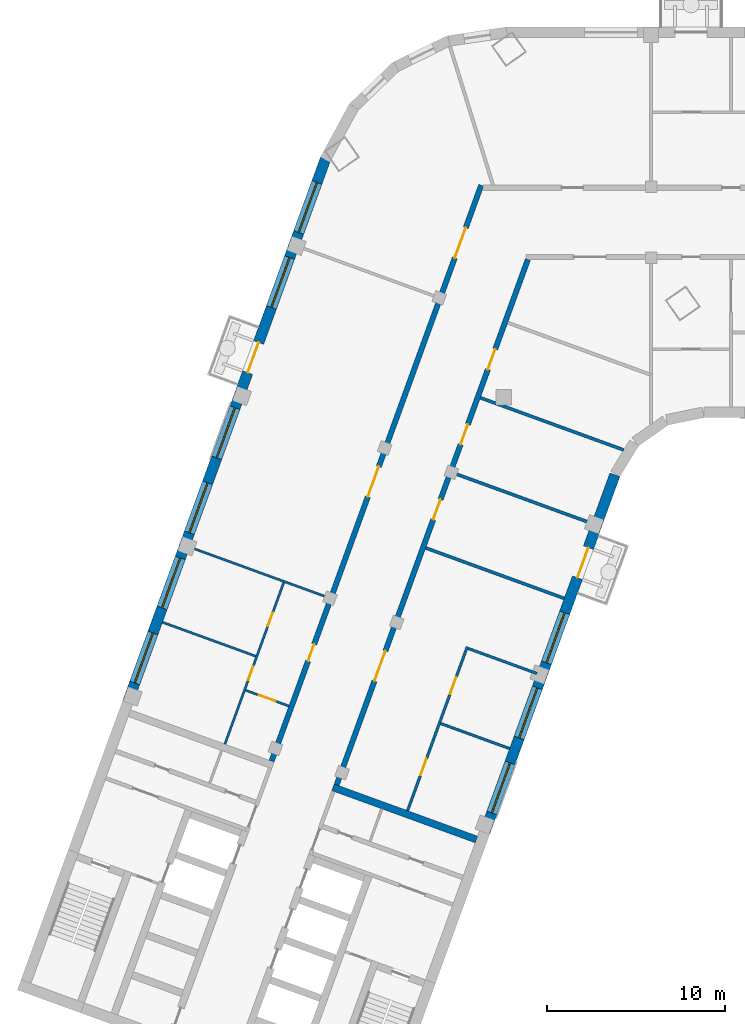
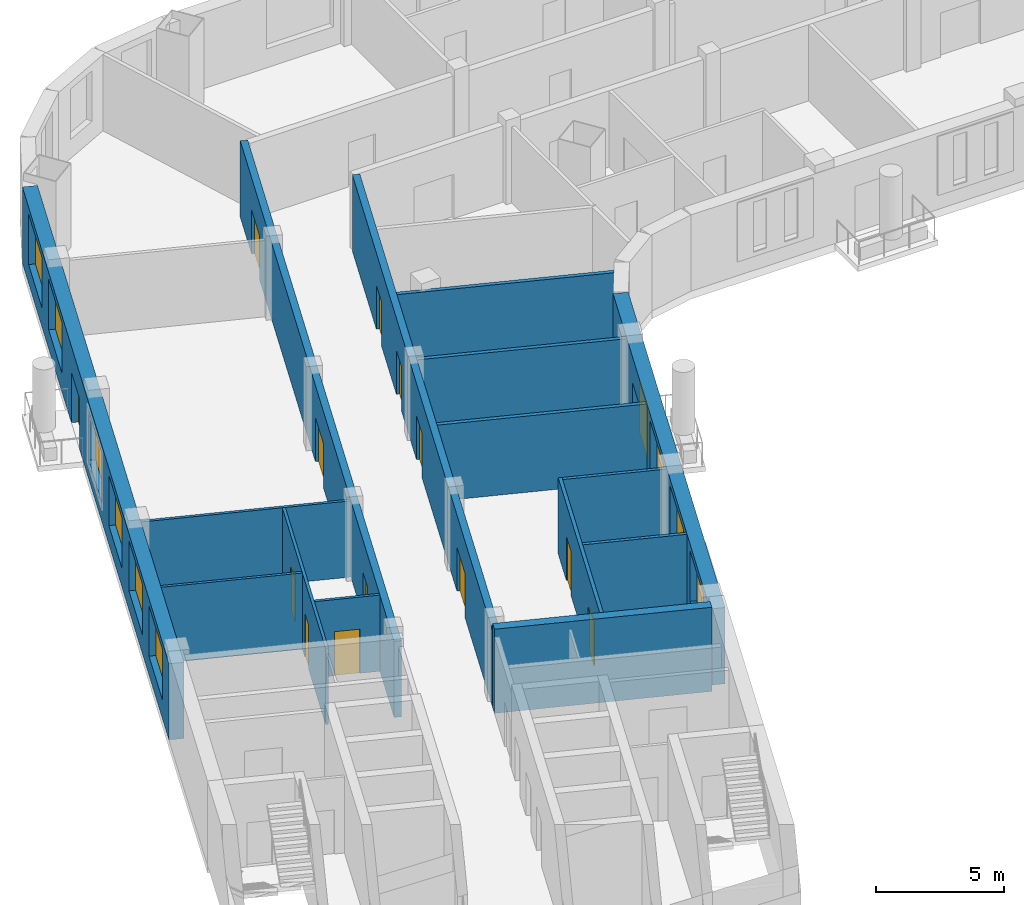
# One storey, part 5 of 12: 15 walls, 14 doors, 9 windows, 23 openings.
"""IFC4 building model written with IfcOpenShell, lengths in metres."""

from ifc_helpers import new_model, si_unit, direction, frame, frame_2d, origin, place, context, subcontext, project, spatial, rectangle, extrude, material, layer, layer_set, type_object, element, fill, save


model = new_model("IFC4")

# Units and contexts
model_context = context("Model", 3, precision=1e-05, world=origin(), true_north=direction((0.0, 1.0)))
body_context = subcontext(model_context, "Body", "Model", "MODEL_VIEW")
ifc_project = project(units=[si_unit("LENGTHUNIT", "METRE"), si_unit("AREAUNIT", "SQUARE_METRE"), si_unit("VOLUMEUNIT", "CUBIC_METRE"), si_unit("PLANEANGLEUNIT", "RADIAN"), si_unit("MASSUNIT", "GRAM", prefix="KILO")], contexts=[model_context])

# Site, building, storey
site_placement = place(None, origin())
site = spatial("IfcSite", under=ifc_project, at=site_placement, CompositionType="ELEMENT")
building_placement = place(site_placement, origin())
building = spatial("IfcBuilding", under=site, at=building_placement, Name="Skarvind Civic Tower", CompositionType="ELEMENT")
storey_placement = place(building_placement, frame((0.0, 0.0, 117.0)))
storey = spatial("IfcBuildingStorey", under=building, at=storey_placement, Name="L27", CompositionType="ELEMENT", Elevation=117.0)

# Walls
ifc_material_1 = material(Name="Acoustic gypsum board on steel studs", Category="steel")
ifc_layer_1 = layer(ifc_material_1, 0.175048828125)
ifc_layer_set_1 = layer_set([ifc_layer_1], Name="ACOUSTIC MEETING-ROOM PARTITION 175")
wall_type_1 = type_object("IfcWallType", Name="ACOUSTIC MEETING-ROOM PARTITION 175", PredefinedType="PARTITIONING", material=ifc_layer_set_1)
wall_1_placement = place(storey_placement, frame((41.56103515625, 109.6630859375, 0.0), z_axis=(0.0, 0.0, 1.0), x_axis=(0.939673986983, -0.342071334939, 0.0)))
element("IfcWall", 1, at=wall_1_placement, inside=storey, type_object=wall_type_1, Name="Partition 27.008", PredefinedType="PARTITIONING", context=body_context, shape_type="SweptSolid", body=[
    extrude(rectangle(XDim=8.2998046875, YDim=0.175048828125, at=frame_2d((4.14990234375, 0.0))), origin(), (0.0, 0.0, 1.0), 3.625),
])
wall_2_placement = place(storey_placement, frame((43.10009765625, 113.89111328125, 0.0), z_axis=(0.0, 0.0, 1.0), x_axis=(0.939670544866, -0.342080790328, 0.0)))
element("IfcWall", 2, at=wall_2_placement, inside=storey, type_object=wall_type_1, Name="Partition 27.012", PredefinedType="PARTITIONING", context=body_context, shape_type="SweptSolid", body=[
    extrude(rectangle(XDim=8.299560546875, YDim=0.175048828125, at=frame_2d((4.14990234375, 0.0))), origin(), (0.0, 0.0, 1.0), 3.625),
])
wall_3_placement = place(storey_placement, frame((44.638916015625, 118.1201171875, 0.0), z_axis=(0.0, 0.0, 1.0), x_axis=(0.939669707102, -0.342083091593, 0.0)))
element("IfcWall", 3, at=wall_3_placement, inside=storey, type_object=wall_type_1, Name="Partition 27.013", PredefinedType="PARTITIONING", context=body_context, shape_type="SweptSolid", body=[
    extrude(rectangle(XDim=8.58935546875, YDim=0.175048828125, at=frame_2d((4.294677734375, 0.0))), origin(), (0.0, 0.0, 1.0), 3.625),
])

# Wall, openings, doors
ifc_material_2 = material(Name="Fire-rated gypsum board on steel studs", Category="steel")
ifc_layer_2 = layer(ifc_material_2, 0.300048828125)
ifc_layer_set_2 = layer_set([ifc_layer_2], Name="CORRIDOR WALL 300")
wall_type_2 = type_object("IfcWallType", Name="CORRIDOR WALL 300", PredefinedType="PARTITIONING", material=ifc_layer_set_2)
wall_4_placement = place(storey_placement, frame((44.68603515625, 130.091064453125, 0.0), z_axis=(0.0, 0.0, 1.0), x_axis=(-0.342017360004, -0.939693633828, 0.0)))
wall_4 = element("IfcWall", 4, at=wall_4_placement, inside=storey, type_object=wall_type_2, Name="Partition 27.006", PredefinedType="PARTITIONING", context=body_context, shape_type="SweptSolid", body=[
    extrude(rectangle(XDim=34.515625, YDim=0.300048828125, at=frame_2d((17.2578125, 0.0))), origin(), (0.0, 0.0, 1.0), 3.625),
])
opening_1_placement = place(wall_4_placement, frame((27.515380859375, 0.0, 0.0)))
opening_1 = element("IfcOpeningElement", 5, at=opening_1_placement, cuts=wall_4, Name="Opening L27-D015", PredefinedType="OPENING", context=body_context, shape_type="SweptSolid", body=[
    extrude(rectangle(XDim=1.0, YDim=2.10009765625, at=frame_2d((0.5, 1.050048828125))), frame((0.0, 0.159912109375, 0.0), z_axis=(0.0, -1.0, 0.0), x_axis=(1.0, 0.0, 0.0)), (0.0, 0.0, 1.0), 0.320068359375),
])
opening_2_placement = place(wall_4_placement, frame((16.865234375, 0.0, 0.0)))
opening_2 = element("IfcOpeningElement", 6, at=opening_2_placement, cuts=wall_4, Name="Opening L27-D019", PredefinedType="OPENING", context=body_context, shape_type="SweptSolid", body=[
    extrude(rectangle(XDim=1.800048828125, YDim=2.10009765625, at=frame_2d((0.89990234375, 1.050048828125))), frame((0.0, 0.159912109375, 0.0), z_axis=(0.0, -1.0, 0.0), x_axis=(1.0, 0.0, 0.0)), (0.0, 0.0, 1.0), 0.320068359375),
])
opening_3_placement = place(wall_4_placement, frame((2.553955078125, 0.0, 0.0)))
opening_3 = element("IfcOpeningElement", 7, at=opening_3_placement, cuts=wall_4, Name="Opening L27-D026", PredefinedType="OPENING", context=body_context, shape_type="SweptSolid", body=[
    extrude(rectangle(XDim=1.800048828125, YDim=2.10009765625, at=frame_2d((0.89990234375, 1.050048828125))), frame((0.0, 0.159912109375, 0.0), z_axis=(0.0, -1.0, 0.0), x_axis=(1.0, 0.0, 0.0)), (0.0, 0.0, 1.0), 0.320068359375),
])
ifc_material_3 = material(Name="Fire-rated timber door leaf", Category="wood")
door_type_1 = type_object("IfcDoorType", Name="FD1 1000x2100", OperationType="NOTDEFINED", PredefinedType="DOOR", material=ifc_material_3)
door_1_placement = place(opening_1_placement, origin())
door_1 = element("IfcDoor", 8, at=door_1_placement, inside=storey, type_object=door_type_1, Name="Door L27-D015", OperationType="SINGLE_SWING_RIGHT", OverallHeight=2.10009765625, OverallWidth=1.0, PredefinedType="DOOR", context=body_context, shape_type="SweptSolid", body=[
    extrude(rectangle(XDim=1.0, YDim=2.10009765625, at=frame_2d((0.5, 1.050048828125))), frame((0.0, 0.02490234375, 0.0), z_axis=(0.0, -1.0, 0.0), x_axis=(1.0, 0.0, 0.0)), (0.0, 0.0, 1.0), 0.050048828125),
])
fill(opening_1, door_1)
door_type_2 = type_object("IfcDoorType", Name="FD4 1800x2100", OperationType="NOTDEFINED", PredefinedType="DOOR", material=ifc_material_3)
door_2_placement = place(opening_2_placement, origin())
door_2 = element("IfcDoor", 9, at=door_2_placement, inside=storey, type_object=door_type_2, Name="Door L27-D019", OperationType="DOUBLE_DOOR_SINGLE_SWING", OverallHeight=2.10009765625, OverallWidth=1.800048828125, PredefinedType="DOOR", context=body_context, shape_type="SweptSolid", body=[
    extrude(rectangle(XDim=1.800048828125, YDim=2.10009765625, at=frame_2d((0.89990234375, 1.050048828125))), frame((0.0, 0.02490234375, 0.0), z_axis=(0.0, -1.0, 0.0), x_axis=(1.0, 0.0, 0.0)), (0.0, 0.0, 1.0), 0.050048828125),
])
fill(opening_2, door_2)
door_3_placement = place(opening_3_placement, origin())
door_3 = element("IfcDoor", 10, at=door_3_placement, inside=storey, type_object=door_type_2, Name="Door L27-D026", OperationType="DOUBLE_DOOR_SINGLE_SWING", OverallHeight=2.10009765625, OverallWidth=1.800048828125, PredefinedType="DOOR", context=body_context, shape_type="SweptSolid", body=[
    extrude(rectangle(XDim=1.800048828125, YDim=2.10009765625, at=frame_2d((0.89990234375, 1.050048828125))), frame((0.0, 0.02490234375, 0.0), z_axis=(0.0, -1.0, 0.0), x_axis=(1.0, 0.0, 0.0)), (0.0, 0.0, 1.0), 0.050048828125),
])
fill(opening_3, door_3)

wall_5_placement = place(storey_placement, frame((47.31396484375, 125.908935546875, 0.0), z_axis=(0.0, 0.0, 1.0), x_axis=(-0.342010770371, -0.939696032209, 0.0)))
wall_5 = element("IfcWall", 11, at=wall_5_placement, inside=storey, type_object=wall_type_2, Name="Partition 27.015", PredefinedType="PARTITIONING", context=body_context, shape_type="SweptSolid", body=[
    extrude(rectangle(XDim=31.484619140625, YDim=0.300048828125, at=frame_2d((15.7421875, 0.0))), origin(), (0.0, 0.0, 1.0), 3.625),
])
opening_4_placement = place(wall_5_placement, frame((23.459228515625, 0.0, 0.0)))
opening_4 = element("IfcOpeningElement", 12, at=opening_4_placement, cuts=wall_5, Name="Opening L27-D022", PredefinedType="OPENING", context=body_context, shape_type="SweptSolid", body=[
    extrude(rectangle(XDim=1.800048828125, YDim=2.10009765625, at=frame_2d((0.89990234375, 1.050048828125))), frame((0.0, 0.159912109375, 0.0), z_axis=(0.0, -1.0, 0.0), x_axis=(1.0, 0.0, 0.0)), (0.0, 0.0, 1.0), 0.320068359375),
])
opening_5_placement = place(wall_5_placement, frame((14.384521484375, 0.0, 0.0)))
opening_5 = element("IfcOpeningElement", 13, at=opening_5_placement, cuts=wall_5, Name="Opening L27-D023", PredefinedType="OPENING", context=body_context, shape_type="SweptSolid", body=[
    extrude(rectangle(XDim=1.199951171875, YDim=2.10009765625, at=frame_2d((0.60009765625, 1.050048828125))), frame((0.0, 0.159912109375, 0.0), z_axis=(0.0, -1.0, 0.0), x_axis=(1.0, 0.0, 0.0)), (0.0, 0.0, 1.0), 0.320068359375),
])
opening_6_placement = place(wall_5_placement, frame((9.884521484375, 0.0, 0.0)))
opening_6 = element("IfcOpeningElement", 14, at=opening_6_placement, cuts=wall_5, Name="Opening L27-D024", PredefinedType="OPENING", context=body_context, shape_type="SweptSolid", body=[
    extrude(rectangle(XDim=1.199951171875, YDim=2.10009765625, at=frame_2d((0.60009765625, 1.050048828125))), frame((0.0, 0.159912109375, 0.0), z_axis=(0.0, -1.0, 0.0), x_axis=(1.0, 0.0, 0.0)), (0.0, 0.0, 1.0), 0.320068359375),
])
opening_7_placement = place(wall_5_placement, frame((5.38427734375, 0.0, 0.0)))
opening_7 = element("IfcOpeningElement", 15, at=opening_7_placement, cuts=wall_5, Name="Opening L27-D025", PredefinedType="OPENING", context=body_context, shape_type="SweptSolid", body=[
    extrude(rectangle(XDim=1.199951171875, YDim=2.10009765625, at=frame_2d((0.60009765625, 1.050048828125))), frame((0.0, 0.159912109375, 0.0), z_axis=(0.0, -1.0, 0.0), x_axis=(1.0, 0.0, 0.0)), (0.0, 0.0, 1.0), 0.320068359375),
])
door_4_placement = place(opening_4_placement, origin())
door_4 = element("IfcDoor", 16, at=door_4_placement, inside=storey, type_object=door_type_2, Name="Door L27-D022", OperationType="DOUBLE_DOOR_SINGLE_SWING", OverallHeight=2.10009765625, OverallWidth=1.800048828125, PredefinedType="DOOR", context=body_context, shape_type="SweptSolid", body=[
    extrude(rectangle(XDim=1.800048828125, YDim=2.10009765625, at=frame_2d((0.89990234375, 1.050048828125))), frame((0.0, 0.02490234375, 0.0), z_axis=(0.0, -1.0, 0.0), x_axis=(1.0, 0.0, 0.0)), (0.0, 0.0, 1.0), 0.050048828125),
])
fill(opening_4, door_4)
door_type_3 = type_object("IfcDoorType", Name="FD6 1200x2100 DOUBLE", OperationType="NOTDEFINED", PredefinedType="DOOR", material=ifc_material_3)
door_5_placement = place(opening_5_placement, origin())
door_5 = element("IfcDoor", 17, at=door_5_placement, inside=storey, type_object=door_type_3, Name="Door L27-D023", OperationType="DOUBLE_DOOR_SINGLE_SWING", OverallHeight=2.10009765625, OverallWidth=1.199951171875, PredefinedType="DOOR", context=body_context, shape_type="SweptSolid", body=[
    extrude(rectangle(XDim=1.199951171875, YDim=2.10009765625, at=frame_2d((0.60009765625, 1.050048828125))), frame((0.0, 0.02490234375, 0.0), z_axis=(0.0, -1.0, 0.0), x_axis=(1.0, 0.0, 0.0)), (0.0, 0.0, 1.0), 0.050048828125),
])
fill(opening_5, door_5)
door_6_placement = place(opening_6_placement, origin())
door_6 = element("IfcDoor", 18, at=door_6_placement, inside=storey, type_object=door_type_3, Name="Door L27-D024", OperationType="DOUBLE_DOOR_SINGLE_SWING", OverallHeight=2.10009765625, OverallWidth=1.199951171875, PredefinedType="DOOR", context=body_context, shape_type="SweptSolid", body=[
    extrude(rectangle(XDim=1.199951171875, YDim=2.10009765625, at=frame_2d((0.60009765625, 1.050048828125))), frame((0.0, 0.02490234375, 0.0), z_axis=(0.0, -1.0, 0.0), x_axis=(1.0, 0.0, 0.0)), (0.0, 0.0, 1.0), 0.050048828125),
])
fill(opening_6, door_6)
door_7_placement = place(opening_7_placement, origin())
door_7 = element("IfcDoor", 19, at=door_7_placement, inside=storey, type_object=door_type_3, Name="Door L27-D025", OperationType="DOUBLE_DOOR_SINGLE_SWING", OverallHeight=2.10009765625, OverallWidth=1.199951171875, PredefinedType="DOOR", context=body_context, shape_type="SweptSolid", body=[
    extrude(rectangle(XDim=1.199951171875, YDim=2.10009765625, at=frame_2d((0.60009765625, 1.050048828125))), frame((0.0, 0.02490234375, 0.0), z_axis=(0.0, -1.0, 0.0), x_axis=(1.0, 0.0, 0.0)), (0.0, 0.0, 1.0), 0.050048828125),
])
fill(opening_7, door_7)

# Wall
ifc_material_4 = material(Name="Concrete C80", Category="concrete")
ifc_layer_3 = layer(ifc_material_4, 0.39990234375)
ifc_layer_set_3 = layer_set([ifc_layer_3], Name="Core wall 400 C80")
wall_type_3 = type_object("IfcWallType", Name="Core wall 400 C80", PredefinedType="SHEAR", material=ifc_layer_set_3)
wall_6_placement = place(storey_placement, frame((44.417724609375, 93.2451171875, 0.0), z_axis=(0.0, 0.0, 1.0), x_axis=(-0.93969060187, 0.342025690201, 0.0)))
element("IfcWall", 20, at=wall_6_placement, inside=storey, type_object=wall_type_3, Name="Core wall C2 south inner face L27", PredefinedType="SHEAR", context=body_context, shape_type="SweptSolid", body=[
    extrude(rectangle(XDim=8.599853515625, YDim=0.39990234375, at=frame_2d((4.2998046875, 0.0))), origin(), (0.0, 0.0, 1.0), 4.0),
])

# Wall, openings, doors
ifc_material_5 = material(Name="Plasterboard partition on steel studs", Category="steel")
ifc_layer_4 = layer(ifc_material_5, 0.14990234375)
ifc_layer_set_4 = layer_set([ifc_layer_4], Name="PARTITION 150")
wall_type_4 = type_object("IfcWallType", Name="PARTITION 150", PredefinedType="PARTITIONING", material=ifc_layer_set_4)
wall_7_placement = place(storey_placement, frame((40.5390625, 94.8701171875, 0.0), z_axis=(0.0, 0.0, 1.0), x_axis=(0.342082231415, 0.939670020247, 0.0)))
wall_7 = element("IfcWall", 21, at=wall_7_placement, inside=storey, type_object=wall_type_4, Name="Partition 27.007", PredefinedType="PARTITIONING", context=body_context, shape_type="SweptSolid", body=[
    extrude(rectangle(XDim=9.82470703125, YDim=0.14990234375, at=frame_2d((4.912353515625, 0.0))), origin(), (0.0, 0.0, 1.0), 3.625),
])
opening_8_placement = place(wall_7_placement, frame((2.125, 0.0, 0.0)))
opening_8 = element("IfcOpeningElement", 22, at=opening_8_placement, cuts=wall_7, Name="Opening L27-D020", PredefinedType="OPENING", context=body_context, shape_type="SweptSolid", body=[
    extrude(rectangle(XDim=1.0, YDim=2.10009765625, at=frame_2d((0.5, 1.050048828125))), frame((0.0, 0.0849609375, 0.0), z_axis=(0.0, -1.0, 0.0), x_axis=(1.0, 0.0, 0.0)), (0.0, 0.0, 1.0), 0.169921875),
])
opening_9_placement = place(wall_7_placement, frame((7.0, 0.0, 0.0)))
opening_9 = element("IfcOpeningElement", 23, at=opening_9_placement, cuts=wall_7, Name="Opening L27-D021", PredefinedType="OPENING", context=body_context, shape_type="SweptSolid", body=[
    extrude(rectangle(XDim=1.0, YDim=2.10009765625, at=frame_2d((0.5, 1.050048828125))), frame((0.0, 0.0849609375, 0.0), z_axis=(0.0, -1.0, 0.0), x_axis=(1.0, 0.0, 0.0)), (0.0, 0.0, 1.0), 0.169921875),
])
ifc_material_6 = material(Name="Timber door leaf", Category="wood")
door_type_4 = type_object("IfcDoorType", Name="D1 1000x2100", OperationType="NOTDEFINED", PredefinedType="DOOR", material=ifc_material_6)
door_8_placement = place(opening_8_placement, origin())
door_8 = element("IfcDoor", 24, at=door_8_placement, inside=storey, type_object=door_type_4, Name="Door L27-D020", OperationType="SINGLE_SWING_LEFT", OverallHeight=2.10009765625, OverallWidth=1.0, PredefinedType="DOOR", context=body_context, shape_type="SweptSolid", body=[
    extrude(rectangle(XDim=1.0, YDim=2.10009765625, at=frame_2d((0.5, 1.050048828125))), frame((0.0, 0.02490234375, 0.0), z_axis=(0.0, -1.0, 0.0), x_axis=(1.0, 0.0, 0.0)), (0.0, 0.0, 1.0), 0.050048828125),
])
fill(opening_8, door_8)
door_9_placement = place(opening_9_placement, origin())
door_9 = element("IfcDoor", 25, at=door_9_placement, inside=storey, type_object=door_type_4, Name="Door L27-D021", OperationType="SINGLE_SWING_LEFT", OverallHeight=2.10009765625, OverallWidth=1.0, PredefinedType="DOOR", context=body_context, shape_type="SweptSolid", body=[
    extrude(rectangle(XDim=1.0, YDim=2.10009765625, at=frame_2d((0.5, 1.050048828125))), frame((0.0, 0.02490234375, 0.0), z_axis=(0.0, -1.0, 0.0), x_axis=(1.0, 0.0, 0.0)), (0.0, 0.0, 1.0), 0.050048828125),
])
fill(opening_9, door_9)

# Walls
wall_8_placement = place(storey_placement, frame((42.405029296875, 99.777099609375, 0.0), z_axis=(0.0, 0.0, 1.0), x_axis=(0.939765774653, -0.341819087808, 0.0)))
element("IfcWall", 26, at=wall_8_placement, inside=storey, type_object=wall_type_4, Name="Partition 27.009", PredefinedType="PARTITIONING", context=body_context, shape_type="SweptSolid", body=[
    extrude(rectangle(XDim=4.12548828125, YDim=0.14990234375, at=frame_2d((2.062744140625, 0.0))), origin(), (0.0, 0.0, 1.0), 3.625),
])
wall_9_placement = place(storey_placement, frame((43.944091796875, 104.006103515625, 0.0), z_axis=(0.0, 0.0, 1.0), x_axis=(0.939689717042, -0.34202812119, 0.0)))
element("IfcWall", 27, at=wall_9_placement, inside=storey, type_object=wall_type_4, Name="Partition 27.016", PredefinedType="PARTITIONING", context=body_context, shape_type="SweptSolid", body=[
    extrude(rectangle(XDim=4.125732421875, YDim=0.14990234375, at=frame_2d((2.06298828125, 0.0))), origin(), (0.0, 0.0, 1.0), 3.625),
])
ifc_material_7 = material(Name="Moisture-resistant gypsum board on steel studs", Category="steel")
ifc_layer_5 = layer(ifc_material_7, 0.125)
ifc_layer_set_5 = layer_set([ifc_layer_5], Name="WC PARTITION 125")
wall_type_5 = type_object("IfcWallType", Name="WC PARTITION 125", PredefinedType="PARTITIONING", material=ifc_layer_set_5)
wall_10_placement = place(storey_placement, frame((26.736083984375, 105.47998046875, 0.0), z_axis=(0.0, 0.0, 1.0), x_axis=(0.939690035435, -0.342027246436, 0.0)))
element("IfcWall", 28, at=wall_10_placement, inside=storey, type_object=wall_type_5, Name="Partition 27.001", PredefinedType="PARTITIONING", context=body_context, shape_type="SweptSolid", body=[
    extrude(rectangle(XDim=5.5869140625, YDim=0.125, at=frame_2d((2.79345703125, 0.0))), origin(), (0.0, 0.0, 1.0), 3.625),
])
wall_11_placement = place(storey_placement, frame((28.27490234375, 109.708984375, 0.0), z_axis=(0.0, 0.0, 1.0), x_axis=(0.939697205528, -0.342007546586, 0.0)))
element("IfcWall", 29, at=wall_11_placement, inside=storey, type_object=wall_type_5, Name="Partition 27.002", PredefinedType="PARTITIONING", context=body_context, shape_type="SweptSolid", body=[
    extrude(rectangle(XDim=8.300537109375, YDim=0.125, at=frame_2d((4.150390625, 0.0))), origin(), (0.0, 0.0, 1.0), 3.625),
])

# Wall, openings, doors
wall_12_placement = place(storey_placement, frame((30.25, 98.614990234375, 0.0), z_axis=(0.0, 0.0, 1.0), x_axis=(0.341998018937, 0.93970067311, 0.0)))
wall_12 = element("IfcWall", 30, at=wall_12_placement, inside=storey, type_object=wall_type_5, Name="Partition 27.003", PredefinedType="PARTITIONING", context=body_context, shape_type="SweptSolid", body=[
    extrude(rectangle(XDim=9.687255859375, YDim=0.125, at=frame_2d((4.84375, 0.0))), origin(), (0.0, 0.0, 1.0), 3.625),
])
opening_10_placement = place(wall_12_placement, frame((7.078125, 0.0, 0.0)))
opening_10 = element("IfcOpeningElement", 31, at=opening_10_placement, cuts=wall_12, Name="Opening L27-D017", PredefinedType="OPENING", context=body_context, shape_type="SweptSolid", body=[
    extrude(rectangle(XDim=0.800048828125, YDim=2.10009765625, at=frame_2d((0.39990234375, 1.050048828125))), frame((0.0, 0.072509765625, 0.0), z_axis=(0.0, -1.0, 0.0), x_axis=(1.0, 0.0, 0.0)), (0.0, 0.0, 1.0), 0.14501953125),
])
opening_11_placement = place(wall_12_placement, frame((3.847900390625, 0.0, 0.0)))
opening_11 = element("IfcOpeningElement", 32, at=opening_11_placement, cuts=wall_12, Name="Opening L27-D018", PredefinedType="OPENING", context=body_context, shape_type="SweptSolid", body=[
    extrude(rectangle(XDim=0.800048828125, YDim=2.10009765625, at=frame_2d((0.39990234375, 1.050048828125))), frame((0.0, 0.072509765625, 0.0), z_axis=(0.0, -1.0, 0.0), x_axis=(1.0, 0.0, 0.0)), (0.0, 0.0, 1.0), 0.14501953125),
])
door_type_5 = type_object("IfcDoorType", Name="DOOR 800X2100 TIMBER", OperationType="NOTDEFINED", PredefinedType="DOOR", material=ifc_material_6)
door_10_placement = place(opening_10_placement, origin())
door_10 = element("IfcDoor", 33, at=door_10_placement, inside=storey, type_object=door_type_5, Name="Door L27-D017", OperationType="SINGLE_SWING_RIGHT", OverallHeight=2.10009765625, OverallWidth=0.800048828125, PredefinedType="DOOR", context=body_context, shape_type="SweptSolid", body=[
    extrude(rectangle(XDim=0.800048828125, YDim=2.10009765625, at=frame_2d((0.39990234375, 1.050048828125))), frame((0.0, 0.02490234375, 0.0), z_axis=(0.0, -1.0, 0.0), x_axis=(1.0, 0.0, 0.0)), (0.0, 0.0, 1.0), 0.050048828125),
])
fill(opening_10, door_10)
door_11_placement = place(opening_11_placement, origin())
door_11 = element("IfcDoor", 34, at=door_11_placement, inside=storey, type_object=door_type_5, Name="Door L27-D018", OperationType="SINGLE_SWING_RIGHT", OverallHeight=2.10009765625, OverallWidth=0.800048828125, PredefinedType="DOOR", context=body_context, shape_type="SweptSolid", body=[
    extrude(rectangle(XDim=0.800048828125, YDim=2.10009765625, at=frame_2d((0.39990234375, 1.050048828125))), frame((0.0, 0.02490234375, 0.0), z_axis=(0.0, -1.0, 0.0), x_axis=(1.0, 0.0, 0.0)), (0.0, 0.0, 1.0), 0.050048828125),
])
fill(opening_11, door_11)

# Wall, opening, door
wall_13_placement = place(storey_placement, frame((33.85205078125, 100.761962890625, 0.0), z_axis=(0.0, 0.0, 1.0), x_axis=(-0.93959774877, 0.342280689649, 0.0)))
wall_13 = element("IfcWall", 35, at=wall_13_placement, inside=storey, type_object=wall_type_5, Name="Partition 27.004", PredefinedType="PARTITIONING", context=body_context, shape_type="SweptSolid", body=[
    extrude(rectangle(XDim=2.58837890625, YDim=0.125, at=frame_2d((1.294189453125, 0.0))), origin(), (0.0, 0.0, 1.0), 3.625),
])
opening_12_placement = place(wall_13_placement, frame((0.7939453125, 0.0, 0.0)))
opening_12 = element("IfcOpeningElement", 36, at=opening_12_placement, cuts=wall_13, Name="Opening L27-D016", PredefinedType="OPENING", context=body_context, shape_type="SweptSolid", body=[
    extrude(rectangle(XDim=1.0, YDim=2.10009765625, at=frame_2d((0.5, 1.050048828125))), frame((0.0, 0.072509765625, 0.0), z_axis=(0.0, -1.0, 0.0), x_axis=(1.0, 0.0, 0.0)), (0.0, 0.0, 1.0), 0.14501953125),
])
door_12_placement = place(opening_12_placement, origin())
door_12 = element("IfcDoor", 37, at=door_12_placement, inside=storey, type_object=door_type_4, Name="Door L27-D016", OperationType="SINGLE_SWING_RIGHT", OverallHeight=2.10009765625, OverallWidth=1.0, PredefinedType="DOOR", context=body_context, shape_type="SweptSolid", body=[
    extrude(rectangle(XDim=1.0, YDim=2.10009765625, at=frame_2d((0.5, 1.050048828125))), frame((0.0, 0.02490234375, 0.0), z_axis=(0.0, -1.0, 0.0), x_axis=(1.0, 0.0, 0.0)), (0.0, 0.0, 1.0), 0.050048828125),
])
fill(opening_12, door_12)

# Wall, openings, door, windows
ifc_material_8 = material(Name="Limestone masonry cladding on insulated backing", Category="masonry")
ifc_layer_6 = layer(ifc_material_8, 0.60009765625)
ifc_layer_set_6 = layer_set([ifc_layer_6], Name="WX1 STONE FACADE WALL 600")
wall_type_6 = type_object("IfcWallType", Name="WX1 STONE FACADE WALL 600", PredefinedType="SOLIDWALL", material=ifc_layer_set_6)
wall_14_placement = place(storey_placement, frame((52.212158203125, 113.78271484375, 0.0), z_axis=(0.0, 0.0, 1.0), x_axis=(-0.34202521188, -0.939690775968, 0.0)))
wall_14 = element("IfcWall", 38, at=wall_14_placement, inside=storey, type_object=wall_type_6, Name="STONE FACADE WALL", PredefinedType="SOLIDWALL", context=body_context, shape_type="SweptSolid", body=[
    extrude(rectangle(XDim=21.744873046875, YDim=0.60009765625, at=frame_2d((10.87255859375, 0.0))), origin(), (0.0, 0.0, 1.0), 3.625),
])
opening_13_placement = place(wall_14_placement, frame((4.364990234375, 0.0, 0.0)))
opening_13 = element("IfcOpeningElement", 39, at=opening_13_placement, cuts=wall_14, Name="Opening DX3", PredefinedType="OPENING", context=body_context, shape_type="SweptSolid", body=[
    extrude(rectangle(XDim=1.800048828125, YDim=2.39990234375, at=frame_2d((0.89990234375, 1.199951171875))), frame((0.0, 0.31005859375, 0.0), z_axis=(0.0, -1.0, 0.0), x_axis=(1.0, 0.0, 0.0)), (0.0, 0.0, 1.0), 0.6201171875),
])
opening_14_placement = place(wall_14_placement, frame((8.264892578125, 0.0, 0.89990234375)))
opening_14 = element("IfcOpeningElement", 40, at=opening_14_placement, cuts=wall_14, Name="Opening WN1", PredefinedType="OPENING", context=body_context, shape_type="SweptSolid", body=[
    extrude(rectangle(XDim=3.0, YDim=2.39990234375, at=frame_2d((1.5, 1.199951171875))), frame((0.0, 0.31005859375, 0.0), z_axis=(0.0, -1.0, 0.0), x_axis=(1.0, 0.0, 0.0)), (0.0, 0.0, 1.0), 0.6201171875),
])
opening_15_placement = place(wall_14_placement, frame((12.764892578125, 0.0, 0.89990234375)))
opening_15 = element("IfcOpeningElement", 41, at=opening_15_placement, cuts=wall_14, Name="Opening WN1", PredefinedType="OPENING", context=body_context, shape_type="SweptSolid", body=[
    extrude(rectangle(XDim=3.0, YDim=2.39990234375, at=frame_2d((1.5, 1.199951171875))), frame((0.0, 0.31005859375, 0.0), z_axis=(0.0, -1.0, 0.0), x_axis=(1.0, 0.0, 0.0)), (0.0, 0.0, 1.0), 0.6201171875),
])
opening_16_placement = place(wall_14_placement, frame((17.264892578125, 0.0, 0.89990234375)))
opening_16 = element("IfcOpeningElement", 42, at=opening_16_placement, cuts=wall_14, Name="Opening WN1", PredefinedType="OPENING", context=body_context, shape_type="SweptSolid", body=[
    extrude(rectangle(XDim=3.0, YDim=2.39990234375, at=frame_2d((1.5, 1.199951171875))), frame((0.0, 0.31005859375, 0.0), z_axis=(0.0, -1.0, 0.0), x_axis=(1.0, 0.0, 0.0)), (0.0, 0.0, 1.0), 0.6201171875),
])
ifc_material_9 = material(Name="Timber and glass doorset", Category="wood")
door_type_6 = type_object("IfcDoorType", Name="DX3 TERRACE DOORS 1800 x 2400", OperationType="NOTDEFINED", PredefinedType="DOOR", material=ifc_material_9)
door_13_placement = place(opening_13_placement, origin())
door_13 = element("IfcDoor", 43, at=door_13_placement, inside=storey, type_object=door_type_6, Name="TERRACE DOORS", OperationType="DOUBLE_DOOR_SINGLE_SWING", OverallHeight=2.39990234375, OverallWidth=1.800048828125, PredefinedType="DOOR", context=body_context, shape_type="SweptSolid", body=[
    extrude(rectangle(XDim=1.800048828125, YDim=2.39990234375, at=frame_2d((0.89990234375, 1.199951171875))), frame((0.0, 0.02490234375, 0.0), z_axis=(0.0, -1.0, 0.0), x_axis=(1.0, 0.0, 0.0)), (0.0, 0.0, 1.0), 0.050048828125),
])
fill(opening_13, door_13)
ifc_material_10 = material(Name="Timber frame, double glazing, timber-lined reveal", Category="wood")
window_type = type_object("IfcWindowType", Name="WN1 PUNCHED STONE WINDOW 3000 x 2400", PartitioningType="SINGLE_PANEL", PredefinedType="WINDOW", material=ifc_material_10)
window_1_placement = place(opening_14_placement, origin())
window_1 = element("IfcWindow", 44, at=window_1_placement, inside=storey, type_object=window_type, Name="WN1 WINDOW", OverallHeight=2.39990234375, OverallWidth=3.0, PartitioningType="SINGLE_PANEL", PredefinedType="WINDOW", context=body_context, shape_type="SweptSolid", body=[
    extrude(rectangle(XDim=3.0, YDim=2.39990234375, at=frame_2d((1.5, 1.199951171875))), frame((0.0, 0.030029296875, 0.0), z_axis=(0.0, -1.0, 0.0), x_axis=(1.0, 0.0, 0.0)), (0.0, 0.0, 1.0), 0.06005859375),
])
fill(opening_14, window_1)
window_2_placement = place(opening_15_placement, origin())
window_2 = element("IfcWindow", 45, at=window_2_placement, inside=storey, type_object=window_type, Name="WN1 WINDOW", OverallHeight=2.39990234375, OverallWidth=3.0, PartitioningType="SINGLE_PANEL", PredefinedType="WINDOW", context=body_context, shape_type="SweptSolid", body=[
    extrude(rectangle(XDim=3.0, YDim=2.39990234375, at=frame_2d((1.5, 1.199951171875))), frame((0.0, 0.030029296875, 0.0), z_axis=(0.0, -1.0, 0.0), x_axis=(1.0, 0.0, 0.0)), (0.0, 0.0, 1.0), 0.06005859375),
])
fill(opening_15, window_2)
window_3_placement = place(opening_16_placement, origin())
window_3 = element("IfcWindow", 46, at=window_3_placement, inside=storey, type_object=window_type, Name="WN1 WINDOW", OverallHeight=2.39990234375, OverallWidth=3.0, PartitioningType="SINGLE_PANEL", PredefinedType="WINDOW", context=body_context, shape_type="SweptSolid", body=[
    extrude(rectangle(XDim=3.0, YDim=2.39990234375, at=frame_2d((1.5, 1.199951171875))), frame((0.0, 0.030029296875, 0.0), z_axis=(0.0, -1.0, 0.0), x_axis=(1.0, 0.0, 0.0)), (0.0, 0.0, 1.0), 0.06005859375),
])
fill(opening_16, window_3)

wall_15_placement = place(storey_placement, frame((24.66552734375, 100.668701171875, 0.0), z_axis=(0.0, 0.0, 1.0), x_axis=(0.34201964167, 0.939692803373, 0.0)))
wall_15 = element("IfcWall", 47, at=wall_15_placement, inside=storey, type_object=wall_type_6, Name="STONE FACADE WALL", PredefinedType="SOLIDWALL", context=body_context, shape_type="SweptSolid", body=[
    extrude(rectangle(XDim=32.88427734375, YDim=0.60009765625, at=frame_2d((16.442138671875, 0.0))), origin(), (0.0, 0.0, 1.0), 3.625),
])
opening_17_placement = place(wall_15_placement, frame((1.47998046875, 0.0, 0.89990234375)))
opening_17 = element("IfcOpeningElement", 48, at=opening_17_placement, cuts=wall_15, Name="Opening WN1", PredefinedType="OPENING", context=body_context, shape_type="SweptSolid", body=[
    extrude(rectangle(XDim=3.0, YDim=2.39990234375, at=frame_2d((1.5, 1.199951171875))), frame((0.0, 0.31005859375, 0.0), z_axis=(0.0, -1.0, 0.0), x_axis=(1.0, 0.0, 0.0)), (0.0, 0.0, 1.0), 0.6201171875),
])
opening_18_placement = place(wall_15_placement, frame((5.97998046875, 0.0, 0.89990234375)))
opening_18 = element("IfcOpeningElement", 49, at=opening_18_placement, cuts=wall_15, Name="Opening WN1", PredefinedType="OPENING", context=body_context, shape_type="SweptSolid", body=[
    extrude(rectangle(XDim=3.0, YDim=2.39990234375, at=frame_2d((1.5, 1.199951171875))), frame((0.0, 0.31005859375, 0.0), z_axis=(0.0, -1.0, 0.0), x_axis=(1.0, 0.0, 0.0)), (0.0, 0.0, 1.0), 0.6201171875),
])
opening_19_placement = place(wall_15_placement, frame((10.47998046875, 0.0, 0.89990234375)))
opening_19 = element("IfcOpeningElement", 50, at=opening_19_placement, cuts=wall_15, Name="Opening WN1", PredefinedType="OPENING", context=body_context, shape_type="SweptSolid", body=[
    extrude(rectangle(XDim=3.0, YDim=2.39990234375, at=frame_2d((1.5, 1.199951171875))), frame((0.0, 0.31005859375, 0.0), z_axis=(0.0, -1.0, 0.0), x_axis=(1.0, 0.0, 0.0)), (0.0, 0.0, 1.0), 0.6201171875),
])
opening_20_placement = place(wall_15_placement, frame((14.97998046875, 0.0, 0.89990234375)))
opening_20 = element("IfcOpeningElement", 51, at=opening_20_placement, cuts=wall_15, Name="Opening WN1", PredefinedType="OPENING", context=body_context, shape_type="SweptSolid", body=[
    extrude(rectangle(XDim=3.0, YDim=2.39990234375, at=frame_2d((1.5, 1.199951171875))), frame((0.0, 0.31005859375, 0.0), z_axis=(0.0, -1.0, 0.0), x_axis=(1.0, 0.0, 0.0)), (0.0, 0.0, 1.0), 0.6201171875),
])
opening_21_placement = place(wall_15_placement, frame((20.080078125, 0.0, 0.0)))
opening_21 = element("IfcOpeningElement", 52, at=opening_21_placement, cuts=wall_15, Name="Opening DX3", PredefinedType="OPENING", context=body_context, shape_type="SweptSolid", body=[
    extrude(rectangle(XDim=1.800048828125, YDim=2.39990234375, at=frame_2d((0.89990234375, 1.199951171875))), frame((0.0, 0.31005859375, 0.0), z_axis=(0.0, -1.0, 0.0), x_axis=(1.0, 0.0, 0.0)), (0.0, 0.0, 1.0), 0.6201171875),
])
opening_22_placement = place(wall_15_placement, frame((23.97998046875, 0.0, 0.89990234375)))
opening_22 = element("IfcOpeningElement", 53, at=opening_22_placement, cuts=wall_15, Name="Opening WN1", PredefinedType="OPENING", context=body_context, shape_type="SweptSolid", body=[
    extrude(rectangle(XDim=3.0, YDim=2.39990234375, at=frame_2d((1.5, 1.199951171875))), frame((0.0, 0.31005859375, 0.0), z_axis=(0.0, -1.0, 0.0), x_axis=(1.0, 0.0, 0.0)), (0.0, 0.0, 1.0), 0.6201171875),
])
opening_23_placement = place(wall_15_placement, frame((28.47998046875, 0.0, 0.89990234375)))
opening_23 = element("IfcOpeningElement", 54, at=opening_23_placement, cuts=wall_15, Name="Opening WN1", PredefinedType="OPENING", context=body_context, shape_type="SweptSolid", body=[
    extrude(rectangle(XDim=3.0, YDim=2.39990234375, at=frame_2d((1.5, 1.199951171875))), frame((0.0, 0.31005859375, 0.0), z_axis=(0.0, -1.0, 0.0), x_axis=(1.0, 0.0, 0.0)), (0.0, 0.0, 1.0), 0.6201171875),
])
door_14_placement = place(opening_21_placement, origin())
door_14 = element("IfcDoor", 55, at=door_14_placement, inside=storey, type_object=door_type_6, Name="TERRACE DOORS", OperationType="DOUBLE_DOOR_SINGLE_SWING", OverallHeight=2.39990234375, OverallWidth=1.800048828125, PredefinedType="DOOR", context=body_context, shape_type="SweptSolid", body=[
    extrude(rectangle(XDim=1.800048828125, YDim=2.39990234375, at=frame_2d((0.89990234375, 1.199951171875))), frame((0.0, 0.02490234375, 0.0), z_axis=(0.0, -1.0, 0.0), x_axis=(1.0, 0.0, 0.0)), (0.0, 0.0, 1.0), 0.050048828125),
])
fill(opening_21, door_14)
window_4_placement = place(opening_17_placement, origin())
window_4 = element("IfcWindow", 56, at=window_4_placement, inside=storey, type_object=window_type, Name="WN1 WINDOW", OverallHeight=2.39990234375, OverallWidth=3.0, PartitioningType="SINGLE_PANEL", PredefinedType="WINDOW", context=body_context, shape_type="SweptSolid", body=[
    extrude(rectangle(XDim=3.0, YDim=2.39990234375, at=frame_2d((1.5, 1.199951171875))), frame((0.0, 0.030029296875, 0.0), z_axis=(0.0, -1.0, 0.0), x_axis=(1.0, 0.0, 0.0)), (0.0, 0.0, 1.0), 0.06005859375),
])
fill(opening_17, window_4)
window_5_placement = place(opening_18_placement, origin())
window_5 = element("IfcWindow", 57, at=window_5_placement, inside=storey, type_object=window_type, Name="WN1 WINDOW", OverallHeight=2.39990234375, OverallWidth=3.0, PartitioningType="SINGLE_PANEL", PredefinedType="WINDOW", context=body_context, shape_type="SweptSolid", body=[
    extrude(rectangle(XDim=3.0, YDim=2.39990234375, at=frame_2d((1.5, 1.199951171875))), frame((0.0, 0.030029296875, 0.0), z_axis=(0.0, -1.0, 0.0), x_axis=(1.0, 0.0, 0.0)), (0.0, 0.0, 1.0), 0.06005859375),
])
fill(opening_18, window_5)
window_6_placement = place(opening_19_placement, origin())
window_6 = element("IfcWindow", 58, at=window_6_placement, inside=storey, type_object=window_type, Name="WN1 WINDOW", OverallHeight=2.39990234375, OverallWidth=3.0, PartitioningType="SINGLE_PANEL", PredefinedType="WINDOW", context=body_context, shape_type="SweptSolid", body=[
    extrude(rectangle(XDim=3.0, YDim=2.39990234375, at=frame_2d((1.5, 1.199951171875))), frame((0.0, 0.030029296875, 0.0), z_axis=(0.0, -1.0, 0.0), x_axis=(1.0, 0.0, 0.0)), (0.0, 0.0, 1.0), 0.06005859375),
])
fill(opening_19, window_6)
window_7_placement = place(opening_20_placement, origin())
window_7 = element("IfcWindow", 59, at=window_7_placement, inside=storey, type_object=window_type, Name="WN1 WINDOW", OverallHeight=2.39990234375, OverallWidth=3.0, PartitioningType="SINGLE_PANEL", PredefinedType="WINDOW", context=body_context, shape_type="SweptSolid", body=[
    extrude(rectangle(XDim=3.0, YDim=2.39990234375, at=frame_2d((1.5, 1.199951171875))), frame((0.0, 0.030029296875, 0.0), z_axis=(0.0, -1.0, 0.0), x_axis=(1.0, 0.0, 0.0)), (0.0, 0.0, 1.0), 0.06005859375),
])
fill(opening_20, window_7)
window_8_placement = place(opening_22_placement, origin())
window_8 = element("IfcWindow", 60, at=window_8_placement, inside=storey, type_object=window_type, Name="WN1 WINDOW", OverallHeight=2.39990234375, OverallWidth=3.0, PartitioningType="SINGLE_PANEL", PredefinedType="WINDOW", context=body_context, shape_type="SweptSolid", body=[
    extrude(rectangle(XDim=3.0, YDim=2.39990234375, at=frame_2d((1.5, 1.199951171875))), frame((0.0, 0.030029296875, 0.0), z_axis=(0.0, -1.0, 0.0), x_axis=(1.0, 0.0, 0.0)), (0.0, 0.0, 1.0), 0.06005859375),
])
fill(opening_22, window_8)
window_9_placement = place(opening_23_placement, origin())
window_9 = element("IfcWindow", 61, at=window_9_placement, inside=storey, type_object=window_type, Name="WN1 WINDOW", OverallHeight=2.39990234375, OverallWidth=3.0, PartitioningType="SINGLE_PANEL", PredefinedType="WINDOW", context=body_context, shape_type="SweptSolid", body=[
    extrude(rectangle(XDim=3.0, YDim=2.39990234375, at=frame_2d((1.5, 1.199951171875))), frame((0.0, 0.030029296875, 0.0), z_axis=(0.0, -1.0, 0.0), x_axis=(1.0, 0.0, 0.0)), (0.0, 0.0, 1.0), 0.06005859375),
])
fill(opening_23, window_9)

save(model, "model.ifc")
